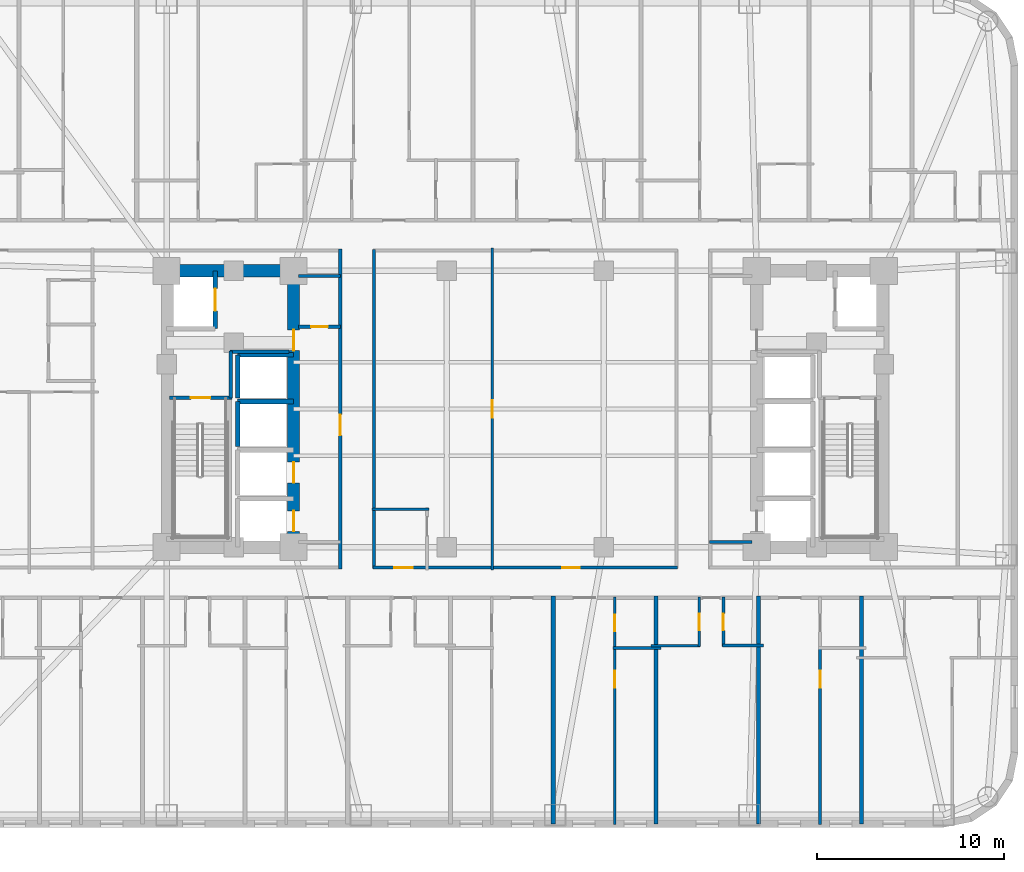
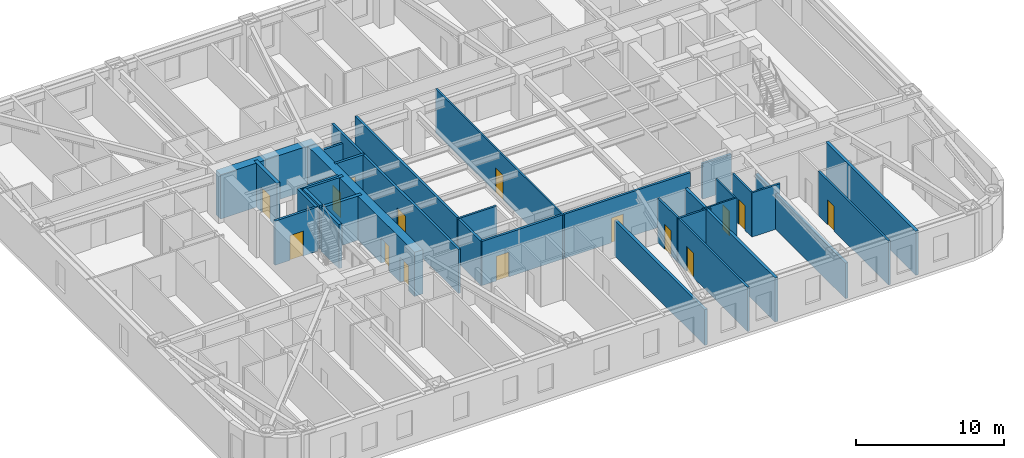
# One storey, part 5 of 11: 30 walls, 15 doors, 15 openings.
"""IFC4 building model written with IfcOpenShell, lengths in metres."""

from ifc_helpers import new_model, si_unit, direction, frame, frame_2d, origin, place, context, subcontext, project, spatial, rectangle, extrude, material, layer, layer_set, type_object, element, fill, save


model = new_model("IFC4")

# Units and contexts
model_context = context("Model", 3, precision=1e-05, world=origin(), true_north=direction((0.0, 1.0)))
body_context = subcontext(model_context, "Body", "Model", "MODEL_VIEW")
ifc_project = project(units=[si_unit("LENGTHUNIT", "METRE"), si_unit("AREAUNIT", "SQUARE_METRE"), si_unit("VOLUMEUNIT", "CUBIC_METRE"), si_unit("PLANEANGLEUNIT", "RADIAN"), si_unit("MASSUNIT", "GRAM", prefix="KILO")], contexts=[model_context])

# Site, building, storey
site_placement = place(None, origin())
site = spatial("IfcSite", under=ifc_project, at=site_placement, CompositionType="ELEMENT")
building_placement = place(site_placement, origin())
building = spatial("IfcBuilding", under=site, at=building_placement, Name="Voryun Gate Residences", CompositionType="ELEMENT")
storey_placement = place(building_placement, frame((0.0, 0.0, 33.800048828125)))
storey = spatial("IfcBuildingStorey", under=building, at=storey_placement, Name="L07", CompositionType="ELEMENT", Elevation=33.800048828125)

# Wall
ifc_material_1 = material(Name="Concrete C60/75", Category="concrete")
ifc_layer_1 = layer(ifc_material_1, 0.64990234375, Name="CW_CORE_650")
ifc_layer_set_1 = layer_set([ifc_layer_1], Name="Concrete C60/75")
wall_type_1 = type_object("IfcWallType", Name="CW_CORE_650", PredefinedType="SHEAR", material=ifc_layer_set_1)
wall_1_placement = place(storey_placement, frame((-19.52490234375, 7.39990234375, 0.0), z_axis=(0.0, 0.0, 1.0), x_axis=(1.0, 0.0, 0.0)))
element("IfcWall", 1, at=wall_1_placement, inside=storey, type_object=wall_type_1, Name="L07 Core shear wall CW-L07-WN", PredefinedType="SHEAR", context=body_context, shape_type="SweptSolid", body=[
    extrude(rectangle(XDim=7.449951171875, YDim=0.64990234375, at=frame_2d((3.72509765625, 0.0))), origin(), (0.0, 0.0, 1.0), 3.64990234375),
])

# Wall, openings, doors
wall_2_placement = place(storey_placement, frame((-12.39990234375, -7.39990234375, 0.0), z_axis=(0.0, 0.0, 1.0), x_axis=(0.0, 1.0, 0.0)))
wall_2 = element("IfcWall", 2, at=wall_2_placement, inside=storey, type_object=wall_type_1, Name="L07 Core shear wall CW-L07-WE", PredefinedType="SHEAR", context=body_context, shape_type="SweptSolid", body=[
    extrude(rectangle(XDim=14.7998046875, YDim=0.64990234375, at=frame_2d((7.39990234375, 0.0))), origin(), (0.0, 0.0, 1.0), 3.64990234375),
])
opening_1_placement = place(wall_2_placement, frame((0.85009765625, 0.0, 0.0)))
opening_1 = element("IfcOpeningElement", 3, at=opening_1_placement, cuts=wall_2, Name="Opening LD2", PredefinedType="OPENING", context=body_context, shape_type="SweptSolid", body=[
    extrude(rectangle(XDim=1.10009765625, YDim=2.050048828125, at=frame_2d((0.550048828125, 1.02490234375))), frame((0.0, 0.3349609375, 0.0), z_axis=(0.0, -1.0, 0.0), x_axis=(1.0, 0.0, 0.0)), (0.0, 0.0, 1.0), 0.669921875),
])
opening_2_placement = place(wall_2_placement, frame((3.449951171875, 0.0, 0.0)))
opening_2 = element("IfcOpeningElement", 4, at=opening_2_placement, cuts=wall_2, Name="Opening LD2", PredefinedType="OPENING", context=body_context, shape_type="SweptSolid", body=[
    extrude(rectangle(XDim=1.10009765625, YDim=2.050048828125, at=frame_2d((0.550048828125, 1.02490234375))), frame((0.0, 0.3349609375, 0.0), z_axis=(0.0, -1.0, 0.0), x_axis=(1.0, 0.0, 0.0)), (0.0, 0.0, 1.0), 0.669921875),
])
opening_3_placement = place(wall_2_placement, frame((10.530029296875, 0.0, 0.0)))
opening_3 = element("IfcOpeningElement", 5, at=opening_3_placement, cuts=wall_2, Name="Opening D-FD60-2", PredefinedType="OPENING", context=body_context, shape_type="SweptSolid", body=[
    extrude(rectangle(XDim=1.10009765625, YDim=2.050048828125, at=frame_2d((0.550048828125, 1.02490234375))), frame((0.0, 0.3349609375, 0.0), z_axis=(0.0, -1.0, 0.0), x_axis=(1.0, 0.0, 0.0)), (0.0, 0.0, 1.0), 0.669921875),
])
ifc_material_2 = material(Name="Painted steel fire door", Category="steel")
door_type_1 = type_object("IfcDoorType", Name="DR_FD60_FFLOB_1100", OperationType="NOTDEFINED", PredefinedType="DOOR", material=ifc_material_2)
door_1_placement = place(opening_3_placement, origin())
door_1 = element("IfcDoor", 6, at=door_1_placement, inside=storey, type_object=door_type_1, Name="Door DR-L07-CLOB-W", OperationType="SINGLE_SWING_LEFT", OverallHeight=2.050048828125, OverallWidth=1.10009765625, PredefinedType="DOOR", context=body_context, shape_type="SweptSolid", body=[
    extrude(rectangle(XDim=1.10009765625, YDim=2.050048828125, at=frame_2d((0.550048828125, 1.02490234375))), frame((0.0, 0.02490234375, 0.0), z_axis=(0.0, -1.0, 0.0), x_axis=(1.0, 0.0, 0.0)), (0.0, 0.0, 1.0), 0.050048828125),
])
fill(opening_3, door_1)
ifc_material_3 = material(Name="Anodised aluminium", Category="aluminium")
door_type_2 = type_object("IfcDoorType", Name="DR_LD_PASS_1100", OperationType="NOTDEFINED", PredefinedType="DOOR", material=ifc_material_3)
door_2_placement = place(opening_1_placement, origin())
door_2 = element("IfcDoor", 7, at=door_2_placement, inside=storey, type_object=door_type_2, Name="Lift EL-P1 sliding landing door L07", OperationType="SLIDING_TO_LEFT", OverallHeight=2.050048828125, OverallWidth=1.10009765625, PredefinedType="DOOR", context=body_context, shape_type="SweptSolid", body=[
    extrude(rectangle(XDim=1.10009765625, YDim=2.050048828125, at=frame_2d((0.550048828125, 1.02490234375))), frame((0.0, 0.02490234375, 0.0), z_axis=(0.0, -1.0, 0.0), x_axis=(1.0, 0.0, 0.0)), (0.0, 0.0, 1.0), 0.050048828125),
])
fill(opening_1, door_2)
door_3_placement = place(opening_2_placement, origin())
door_3 = element("IfcDoor", 8, at=door_3_placement, inside=storey, type_object=door_type_2, Name="Lift EL-P2 sliding landing door L07", OperationType="SLIDING_TO_LEFT", OverallHeight=2.050048828125, OverallWidth=1.10009765625, PredefinedType="DOOR", context=body_context, shape_type="SweptSolid", body=[
    extrude(rectangle(XDim=1.10009765625, YDim=2.050048828125, at=frame_2d((0.550048828125, 1.02490234375))), frame((0.0, 0.02490234375, 0.0), z_axis=(0.0, -1.0, 0.0), x_axis=(1.0, 0.0, 0.0)), (0.0, 0.0, 1.0), 0.050048828125),
])
fill(opening_2, door_3)

# Wall, opening, door
ifc_material_4 = material(Name="Gypsum acoustic fireboard")
ifc_layer_2 = layer(ifc_material_4, 0.179931640625, Name="W_CORR_RATED_180")
ifc_layer_set_2 = layer_set([ifc_layer_2], Name="Gypsum acoustic fireboard")
wall_type_2 = type_object("IfcWallType", Name="W_CORR_RATED_180", PredefinedType="PARTITIONING", material=ifc_layer_set_2)
wall_3_placement = place(storey_placement, frame((-19.06005859375, 0.60009765625, 0.0), z_axis=(0.0, 0.0, 1.0), x_axis=(1.0, 0.0, 0.0)))
wall_3 = element("IfcWall", 9, at=wall_3_placement, inside=storey, type_object=wall_type_2, Name="Partition wall WP-L07-STV-W", PredefinedType="PARTITIONING", context=body_context, shape_type="SweptSolid", body=[
    extrude(rectangle(XDim=3.360107421875, YDim=0.179931640625, at=frame_2d((1.68017578125, 0.0))), origin(), (0.0, 0.0, 1.0), 3.64990234375),
])
opening_4_placement = place(wall_3_placement, frame((1.155029296875, 0.0, 0.0)))
opening_4 = element("IfcOpeningElement", 10, at=opening_4_placement, cuts=wall_3, Name="Opening D-FD60-1", PredefinedType="OPENING", context=body_context, shape_type="SweptSolid", body=[
    extrude(rectangle(XDim=1.050048828125, YDim=2.050048828125, at=frame_2d((0.52490234375, 1.02490234375))), frame((0.0, 0.099853515625, 0.0), z_axis=(0.0, -1.0, 0.0), x_axis=(1.0, 0.0, 0.0)), (0.0, 0.0, 1.0), 0.199951171875),
])
ifc_material_5 = material(Name="Painted steel fire door", Category="steel")
door_type_3 = type_object("IfcDoorType", Name="DR_FD60_STAIR_1050", OperationType="NOTDEFINED", PredefinedType="DOOR", material=ifc_material_5)
door_4_placement = place(opening_4_placement, origin())
door_4 = element("IfcDoor", 11, at=door_4_placement, inside=storey, type_object=door_type_3, Name="Door DR-L07-ST-W", OperationType="SINGLE_SWING_LEFT", OverallHeight=2.050048828125, OverallWidth=1.050048828125, PredefinedType="DOOR", context=body_context, shape_type="SweptSolid", body=[
    extrude(rectangle(XDim=1.050048828125, YDim=2.050048828125, at=frame_2d((0.52490234375, 1.02490234375))), frame((0.0, 0.02490234375, 0.0), z_axis=(0.0, -1.0, 0.0), x_axis=(1.0, 0.0, 0.0)), (0.0, 0.0, 1.0), 0.050048828125),
])
fill(opening_4, door_4)

# Walls
for number, where, z_axis, x_axis, name in (
    (12, (-12.14990234375, 7.1201171875, 0.0), (0.0, 0.0, 1.0), (1.0, 0.0, 0.0), "Partition wall WP-L07-PLBN-W"),
    (13, (9.8798828125, -7.1201171875, 0.0), (0.0, 0.0, 1.0), (1.0, 0.0, 0.0), "Partition wall WP-L07-PLBS-E"),
):
    element("IfcWall", number, at=place(storey_placement, frame(where, z_axis=z_axis, x_axis=x_axis)), inside=storey, type_object=wall_type_2, Name=name, PredefinedType="PARTITIONING", context=body_context, shape_type="SweptSolid", body=[
        extrude(rectangle(XDim=2.27001953125, YDim=0.179931640625, at=frame_2d((1.135009765625, 0.0))), origin(), (0.0, 0.0, 1.0), 2.93994140625),
    ])

# Wall, opening, door
wall_4_placement = place(storey_placement, frame((-9.89990234375, -8.580078125, 0.0), z_axis=(0.0, 0.0, 1.0), x_axis=(0.0, 1.0, 0.0)))
wall_4 = element("IfcWall", 14, at=wall_4_placement, inside=storey, type_object=wall_type_2, Name="Partition wall WP-L07-PLBW-FULL", PredefinedType="PARTITIONING", context=body_context, shape_type="SweptSolid", body=[
    extrude(rectangle(XDim=17.16015625, YDim=0.179931640625, at=frame_2d((8.580078125, 0.0))), origin(), (0.0, 0.0, 1.0), 3.64990234375),
])
opening_5_placement = place(wall_4_placement, frame((7.172119140625, 0.0, 0.0)))
opening_5 = element("IfcOpeningElement", 15, at=opening_5_placement, cuts=wall_4, Name="Opening D-FD60-2", PredefinedType="OPENING", context=body_context, shape_type="SweptSolid", body=[
    extrude(rectangle(XDim=1.10009765625, YDim=2.050048828125, at=frame_2d((0.550048828125, 1.02490234375))), frame((0.0, 0.099853515625, 0.0), z_axis=(0.0, -1.0, 0.0), x_axis=(1.0, 0.0, 0.0)), (0.0, 0.0, 1.0), 0.199951171875),
])
door_5_placement = place(opening_5_placement, origin())
door_5 = element("IfcDoor", 16, at=door_5_placement, inside=storey, type_object=door_type_1, Name="Door DR-L07-PLBW-COR", OperationType="SINGLE_SWING_LEFT", OverallHeight=2.050048828125, OverallWidth=1.10009765625, PredefinedType="DOOR", context=body_context, shape_type="SweptSolid", body=[
    extrude(rectangle(XDim=1.10009765625, YDim=2.050048828125, at=frame_2d((0.550048828125, 1.02490234375))), frame((0.0, 0.02490234375, 0.0), z_axis=(0.0, -1.0, 0.0), x_axis=(1.0, 0.0, 0.0)), (0.0, 0.0, 1.0), 0.050048828125),
])
fill(opening_5, door_5)

# Wall, openings, doors
wall_5_placement = place(storey_placement, frame((-8.14990234375, -8.489990234375, 0.0), z_axis=(0.0, 0.0, 1.0), x_axis=(1.0, 0.0, 0.0)))
wall_5 = element("IfcWall", 17, at=wall_5_placement, inside=storey, type_object=wall_type_2, Name="Partition wall WP-L07-Z1S", PredefinedType="PARTITIONING", context=body_context, shape_type="SweptSolid", body=[
    extrude(rectangle(XDim=16.2998046875, YDim=0.179931640625, at=frame_2d((8.14990234375, 0.0))), origin(), (0.0, 0.0, 1.0), 3.64990234375),
])
opening_6_placement = place(wall_5_placement, frame((1.1298828125, 0.0, 0.0)))
opening_6 = element("IfcOpeningElement", 18, at=opening_6_placement, cuts=wall_5, Name="Opening D-AWC-1", PredefinedType="OPENING", context=body_context, shape_type="SweptSolid", body=[
    extrude(rectangle(XDim=1.0, YDim=2.050048828125, at=frame_2d((0.5, 1.02490234375))), frame((0.0, 0.099853515625, 0.0), z_axis=(0.0, -1.0, 0.0), x_axis=(1.0, 0.0, 0.0)), (0.0, 0.0, 1.0), 0.199951171875),
])
opening_7_placement = place(wall_5_placement, frame((10.1201171875, 0.0, 0.0)))
opening_7 = element("IfcOpeningElement", 19, at=opening_7_placement, cuts=wall_5, Name="Opening D-INT-1", PredefinedType="OPENING", context=body_context, shape_type="SweptSolid", body=[
    extrude(rectangle(XDim=0.949951171875, YDim=2.050048828125, at=frame_2d((0.47509765625, 1.02490234375))), frame((0.0, 0.099853515625, 0.0), z_axis=(0.0, -1.0, 0.0), x_axis=(1.0, 0.0, 0.0)), (0.0, 0.0, 1.0), 0.199951171875),
])
ifc_material_6 = material(Name="Architectural oak veneer")
door_type_4 = type_object("IfcDoorType", Name="DR_ACC_WC_1000", OperationType="NOTDEFINED", PredefinedType="DOOR", material=ifc_material_6)
door_6_placement = place(opening_6_placement, origin())
door_6 = element("IfcDoor", 20, at=door_6_placement, inside=storey, type_object=door_type_4, Name="Door DR-L07-CMWC-D", OperationType="SINGLE_SWING_LEFT", OverallHeight=2.050048828125, OverallWidth=1.0, PredefinedType="DOOR", context=body_context, shape_type="SweptSolid", body=[
    extrude(rectangle(XDim=1.0, YDim=2.050048828125, at=frame_2d((0.5, 1.02490234375))), frame((0.0, 0.02490234375, 0.0), z_axis=(0.0, -1.0, 0.0), x_axis=(1.0, 0.0, 0.0)), (0.0, 0.0, 1.0), 0.050048828125),
])
fill(opening_6, door_6)
ifc_material_7 = material(Name="Architectural oak veneer")
door_type_5 = type_object("IfcDoorType", Name="DR_INT_ROOM_950", OperationType="NOTDEFINED", PredefinedType="DOOR", material=ifc_material_7)
door_7_placement = place(opening_7_placement, origin())
door_7 = element("IfcDoor", 21, at=door_7_placement, inside=storey, type_object=door_type_5, Name="Door DR-L07-CMIDZ1S", OperationType="SINGLE_SWING_RIGHT", OverallHeight=2.050048828125, OverallWidth=0.949951171875, PredefinedType="DOOR", context=body_context, shape_type="SweptSolid", body=[
    extrude(rectangle(XDim=0.949951171875, YDim=2.050048828125, at=frame_2d((0.47509765625, 1.02490234375))), frame((0.0, 0.02490234375, 0.0), z_axis=(0.0, -1.0, 0.0), x_axis=(1.0, 0.0, 0.0)), (0.0, 0.0, 1.0), 0.050048828125),
])
fill(opening_7, door_7)

# Walls
wall_6_placement = place(storey_placement, frame((-8.10009765625, -8.530029296875, 0.0), z_axis=(0.0, 0.0, 1.0), x_axis=(0.0, 1.0, 0.0)))
element("IfcWall", 22, at=wall_6_placement, inside=storey, type_object=wall_type_2, Name="Partition wall WP-L07-Z1W", PredefinedType="PARTITIONING", context=body_context, shape_type="SweptSolid", body=[
    extrude(rectangle(XDim=17.06005859375, YDim=0.179931640625, at=frame_2d((8.530029296875, 0.0))), origin(), (0.0, 0.0, 1.0), 3.64990234375),
])
ifc_material_8 = material(Name="Concrete C40/50", Category="concrete")
ifc_layer_3 = layer(ifc_material_8, 0.199951171875, Name="W_FF_LOBBY_200")
ifc_layer_set_3 = layer_set([ifc_layer_3], Name="Concrete C40/50")
wall_type_3 = type_object("IfcWallType", Name="W_FF_LOBBY_200", PredefinedType="PARTITIONING", material=ifc_layer_set_3)
wall_7_placement = place(storey_placement, frame((-15.760009765625, 0.580078125, 0.0), z_axis=(0.0, 0.0, 1.0), x_axis=(0.0, 1.0, 0.0)))
element("IfcWall", 23, at=wall_7_placement, inside=storey, type_object=wall_type_3, Name="Partition wall WP-L07-FFP0-W", PredefinedType="PARTITIONING", context=body_context, shape_type="SweptSolid", body=[
    extrude(rectangle(XDim=2.52001953125, YDim=0.199951171875, at=frame_2d((1.260009765625, 0.0))), origin(), (0.0, 0.0, 1.0), 3.64990234375),
])
wall_8_placement = place(storey_placement, frame((-15.820068359375, 3.06005859375, 0.0), z_axis=(0.0, 0.0, 1.0), x_axis=(1.0, 0.0, 0.0)))
element("IfcWall", 24, at=wall_8_placement, inside=storey, type_object=wall_type_3, Name="Partition wall WP-L07-FFPS-W", PredefinedType="PARTITIONING", context=body_context, shape_type="SweptSolid", body=[
    extrude(rectangle(XDim=3.16015625, YDim=0.199951171875, at=frame_2d((1.580078125, 0.0))), origin(), (0.0, 0.0, 1.0), 3.64990234375),
])

# Wall, opening, door
wall_9_placement = place(storey_placement, frame((-12.14990234375, 4.409912109375, 0.0), z_axis=(0.0, 0.0, 1.0), x_axis=(1.0, 0.0, 0.0)))
wall_9 = element("IfcWall", 25, at=wall_9_placement, inside=storey, type_object=wall_type_3, Name="Partition wall WP-L07-CSFLKS-W", PredefinedType="PARTITIONING", context=body_context, shape_type="SweptSolid", body=[
    extrude(rectangle(XDim=2.27001953125, YDim=0.199951171875, at=frame_2d((1.135009765625, 0.0))), origin(), (0.0, 0.0, 1.0), 3.64990234375),
])
opening_8_placement = place(wall_9_placement, frame((0.68505859375, 0.0, 0.0)))
opening_8 = element("IfcOpeningElement", 26, at=opening_8_placement, cuts=wall_9, Name="Opening D-FD60-4", PredefinedType="OPENING", context=body_context, shape_type="SweptSolid", body=[
    extrude(rectangle(XDim=0.89990234375, YDim=2.050048828125, at=frame_2d((0.449951171875, 1.02490234375))), frame((0.0, 0.110107421875, 0.0), z_axis=(0.0, -1.0, 0.0), x_axis=(1.0, 0.0, 0.0)), (0.0, 0.0, 1.0), 0.219970703125),
])
ifc_material_9 = material(Name="Painted steel fire door", Category="steel")
door_type_6 = type_object("IfcDoorType", Name="DR_FD60_RISER_900", OperationType="NOTDEFINED", PredefinedType="DOOR", material=ifc_material_9)
door_8_placement = place(opening_8_placement, origin())
door_8 = element("IfcDoor", 27, at=door_8_placement, inside=storey, type_object=door_type_6, Name="Door DR-L07-CSFLK-W", OperationType="SINGLE_SWING_LEFT", OverallHeight=2.050048828125, OverallWidth=0.89990234375, PredefinedType="DOOR", context=body_context, shape_type="SweptSolid", body=[
    extrude(rectangle(XDim=0.89990234375, YDim=2.050048828125, at=frame_2d((0.449951171875, 1.02490234375))), frame((0.0, 0.02490234375, 0.0), z_axis=(0.0, -1.0, 0.0), x_axis=(1.0, 0.0, 0.0)), (0.0, 0.0, 1.0), 0.050048828125),
])
fill(opening_8, door_8)

# Walls
ifc_material_10 = material(Name="Concrete C40/50", Category="concrete")
ifc_layer_4 = layer(ifc_material_10, 0.219970703125, Name="W_PARTY_ACOUSTIC_220")
ifc_layer_set_4 = layer_set([ifc_layer_4], Name="Concrete C40/50")
wall_type_4 = type_object("IfcWallType", Name="W_PARTY_ACOUSTIC_220", PredefinedType="PARTITIONING", material=ifc_layer_set_4)
wall_10_placement = place(storey_placement, frame((1.5, -22.2099609375, 0.0), z_axis=(0.0, 0.0, 1.0), x_axis=(0.0, 1.0, 0.0)))
element("IfcWall", 28, at=wall_10_placement, inside=storey, type_object=wall_type_4, Name="Partition wall WP-L07-SPTY-6", PredefinedType="PARTITIONING", context=body_context, shape_type="SweptSolid", body=[
    extrude(rectangle(XDim=12.18994140625, YDim=0.219970703125, at=frame_2d((6.094970703125, 0.0))), origin(), (0.0, 0.0, 1.0), 2.93994140625),
])
wall_11_placement = place(storey_placement, frame((7.0, -22.2099609375, 0.0), z_axis=(0.0, 0.0, 1.0), x_axis=(0.0, 1.0, 0.0)))
element("IfcWall", 29, at=wall_11_placement, inside=storey, type_object=wall_type_4, Name="Partition wall WP-L07-SPTY-7", PredefinedType="PARTITIONING", context=body_context, shape_type="SweptSolid", body=[
    extrude(rectangle(XDim=12.18994140625, YDim=0.219970703125, at=frame_2d((6.094970703125, 0.0))), origin(), (0.0, 0.0, 1.0), 3.64990234375),
])
wall_12_placement = place(storey_placement, frame((12.5, -22.2099609375, 0.0), z_axis=(0.0, 0.0, 1.0), x_axis=(0.0, 1.0, 0.0)))
element("IfcWall", 30, at=wall_12_placement, inside=storey, type_object=wall_type_4, Name="Partition wall WP-L07-SPTY-8", PredefinedType="PARTITIONING", context=body_context, shape_type="SweptSolid", body=[
    extrude(rectangle(XDim=12.18994140625, YDim=0.219970703125, at=frame_2d((6.094970703125, 0.0))), origin(), (0.0, 0.0, 1.0), 2.93994140625),
])
wall_13_placement = place(storey_placement, frame((18.0, -22.2099609375, 0.0), z_axis=(0.0, 0.0, 1.0), x_axis=(0.0, 1.0, 0.0)))
element("IfcWall", 31, at=wall_13_placement, inside=storey, type_object=wall_type_4, Name="Partition wall WP-L07-SPTY-9", PredefinedType="PARTITIONING", context=body_context, shape_type="SweptSolid", body=[
    extrude(rectangle(XDim=12.18994140625, YDim=0.219970703125, at=frame_2d((6.094970703125, 0.0))), origin(), (0.0, 0.0, 1.0), 3.64990234375),
])

# Wall, opening, door
ifc_material_11 = material(Name="Concrete C50/60", Category="concrete")
ifc_layer_5 = layer(ifc_material_11, 0.25, Name="W_SHAFT_RC250")
ifc_layer_set_5 = layer_set([ifc_layer_5], Name="Concrete C50/60")
wall_type_5 = type_object("IfcWallType", Name="W_SHAFT_RC250", PredefinedType="SOLIDWALL", material=ifc_layer_set_5)
wall_14_placement = place(storey_placement, frame((-16.60009765625, 4.300048828125, 0.0), z_axis=(0.0, 0.0, 1.0), x_axis=(0.0, 1.0, 0.0)))
wall_14 = element("IfcWall", 32, at=wall_14_placement, inside=storey, type_object=wall_type_5, Name="Lift shaft wall WSH-L07-EL-FF-W1-E", PredefinedType="SOLIDWALL", context=body_context, shape_type="SweptSolid", body=[
    extrude(rectangle(XDim=3.099853515625, YDim=0.25, at=frame_2d((1.5498046875, 0.0))), origin(), (0.0, 0.0, 1.0), 3.64990234375),
])
opening_9_placement = place(wall_14_placement, frame((0.949951171875, 0.0, 0.0)))
opening_9 = element("IfcOpeningElement", 33, at=opening_9_placement, cuts=wall_14, Name="Opening LD1", PredefinedType="OPENING", context=body_context, shape_type="SweptSolid", body=[
    extrude(rectangle(XDim=1.199951171875, YDim=2.050048828125, at=frame_2d((0.60009765625, 1.02490234375))), frame((0.0, 0.135009765625, 0.0), z_axis=(0.0, -1.0, 0.0), x_axis=(1.0, 0.0, 0.0)), (0.0, 0.0, 1.0), 0.27001953125),
])
ifc_material_12 = material(Name="Anodised aluminium", Category="aluminium")
door_type_7 = type_object("IfcDoorType", Name="DR_LD_FF_1200", OperationType="NOTDEFINED", PredefinedType="DOOR", material=ifc_material_12)
door_9_placement = place(opening_9_placement, origin())
door_9 = element("IfcDoor", 34, at=door_9_placement, inside=storey, type_object=door_type_7, Name="Lift EL-FF-W1 sliding landing door L07", OperationType="SLIDING_TO_LEFT", OverallHeight=2.050048828125, OverallWidth=1.199951171875, PredefinedType="DOOR", context=body_context, shape_type="SweptSolid", body=[
    extrude(rectangle(XDim=1.199951171875, YDim=2.050048828125, at=frame_2d((0.60009765625, 1.02490234375))), frame((0.0, 0.02490234375, 0.0), z_axis=(0.0, -1.0, 0.0), x_axis=(1.0, 0.0, 0.0)), (0.0, 0.0, 1.0), 0.050048828125),
])
fill(opening_9, door_9)

# Walls
wall_15_placement = place(storey_placement, frame((-12.39990234375, 0.39990234375, 0.0), z_axis=(0.0, 0.0, 1.0), x_axis=(-1.0, 0.0, 0.0)))
element("IfcWall", 35, at=wall_15_placement, inside=storey, type_object=wall_type_5, Name="Lift shaft wall WSH-L07-EL-P4-N", PredefinedType="SOLIDWALL", context=body_context, shape_type="SweptSolid", body=[
    extrude(rectangle(XDim=3.0, YDim=0.25, at=frame_2d((1.5, 0.0))), origin(), (0.0, 0.0, 1.0), 3.64990234375),
])
wall_16_placement = place(storey_placement, frame((-15.39990234375, 0.39990234375, 0.0), z_axis=(0.0, 0.0, 1.0), x_axis=(0.0, -1.0, 0.0)))
element("IfcWall", 36, at=wall_16_placement, inside=storey, type_object=wall_type_5, Name="Lift shaft wall WSH-L07-EL-P4-W", PredefinedType="SOLIDWALL", context=body_context, shape_type="SweptSolid", body=[
    extrude(rectangle(XDim=2.39990234375, YDim=0.25, at=frame_2d((1.199951171875, 0.0))), origin(), (0.0, 0.0, 1.0), 3.64990234375),
])
wall_17_placement = place(storey_placement, frame((-12.39990234375, 2.89990234375, 0.0), z_axis=(0.0, 0.0, 1.0), x_axis=(-1.0, 0.0, 0.0)))
element("IfcWall", 37, at=wall_17_placement, inside=storey, type_object=wall_type_5, Name="Lift shaft wall WSH-L07-EL-P7-N", PredefinedType="SOLIDWALL", context=body_context, shape_type="SweptSolid", body=[
    extrude(rectangle(XDim=3.0, YDim=0.25, at=frame_2d((1.5, 0.0))), origin(), (0.0, 0.0, 1.0), 3.64990234375),
])
wall_18_placement = place(storey_placement, frame((-15.39990234375, 2.89990234375, 0.0), z_axis=(0.0, 0.0, 1.0), x_axis=(0.0, -1.0, 0.0)))
element("IfcWall", 38, at=wall_18_placement, inside=storey, type_object=wall_type_5, Name="Lift shaft wall WSH-L07-EL-P7-W", PredefinedType="SOLIDWALL", context=body_context, shape_type="SweptSolid", body=[
    extrude(rectangle(XDim=2.2998046875, YDim=0.25, at=frame_2d((1.14990234375, 0.0))), origin(), (0.0, 0.0, 1.0), 3.64990234375),
])

# Wall, opening, door
ifc_material_13 = material(Name="Gypsum acoustic partition")
ifc_layer_6 = layer(ifc_material_13, 0.125, Name="W_UNIT_PART_125")
ifc_layer_set_6 = layer_set([ifc_layer_6], Name="Gypsum acoustic partition")
wall_type_6 = type_object("IfcWallType", Name="W_UNIT_PART_125", PredefinedType="PARTITIONING", material=ifc_layer_set_6)
wall_19_placement = place(storey_placement, frame((-1.77294921875, -8.6201171875, 0.0), z_axis=(0.0, 0.0, 1.0), x_axis=(0.0, 1.0, 0.0)))
wall_19 = element("IfcWall", 39, at=wall_19_placement, inside=storey, type_object=wall_type_6, Name="Partition wall WP-L07-MIDX-0", PredefinedType="PARTITIONING", context=body_context, shape_type="SweptSolid", body=[
    extrude(rectangle(XDim=17.240234375, YDim=0.125, at=frame_2d((8.6201171875, 0.0))), origin(), (0.0, 0.0, 1.0), 3.64990234375),
])
opening_10_placement = place(wall_19_placement, frame((8.14501953125, 0.0, 0.0)))
opening_10 = element("IfcOpeningElement", 40, at=opening_10_placement, cuts=wall_19, Name="Opening D-INT-1", PredefinedType="OPENING", context=body_context, shape_type="SweptSolid", body=[
    extrude(rectangle(XDim=0.949951171875, YDim=2.050048828125, at=frame_2d((0.47509765625, 1.02490234375))), frame((0.0, 0.072509765625, 0.0), z_axis=(0.0, -1.0, 0.0), x_axis=(1.0, 0.0, 0.0)), (0.0, 0.0, 1.0), 0.14501953125),
])
door_10_placement = place(opening_10_placement, origin())
door_10 = element("IfcDoor", 41, at=door_10_placement, inside=storey, type_object=door_type_5, Name="Door DR-L07-MIDX-0", OperationType="SINGLE_SWING_LEFT", OverallHeight=2.050048828125, OverallWidth=0.949951171875, PredefinedType="DOOR", context=body_context, shape_type="SweptSolid", body=[
    extrude(rectangle(XDim=0.949951171875, YDim=2.050048828125, at=frame_2d((0.47509765625, 1.02490234375))), frame((0.0, 0.02490234375, 0.0), z_axis=(0.0, -1.0, 0.0), x_axis=(1.0, 0.0, 0.0)), (0.0, 0.0, 1.0), 0.050048828125),
])
fill(opening_10, door_10)

wall_20_placement = place(storey_placement, frame((9.31005859375, -12.72998046875, 0.0), z_axis=(0.0, 0.0, 1.0), x_axis=(0.0, 1.0, 0.0)))
wall_20 = element("IfcWall", 42, at=wall_20_placement, inside=storey, type_object=wall_type_6, Name="Partition wall WP-L07-S8-CVK", PredefinedType="PARTITIONING", context=body_context, shape_type="SweptSolid", body=[
    extrude(rectangle(XDim=2.64990234375, YDim=0.125, at=frame_2d((1.324951171875, 0.0))), origin(), (0.0, 0.0, 1.0), 3.64990234375),
])
opening_11_placement = place(wall_20_placement, frame((0.875, 0.0, 0.0)))
opening_11 = element("IfcOpeningElement", 43, at=opening_11_placement, cuts=wall_20, Name="Opening D-INT-2", PredefinedType="OPENING", context=body_context, shape_type="SweptSolid", body=[
    extrude(rectangle(XDim=0.89990234375, YDim=2.050048828125, at=frame_2d((0.449951171875, 1.02490234375))), frame((0.0, 0.072509765625, 0.0), z_axis=(0.0, -1.0, 0.0), x_axis=(1.0, 0.0, 0.0)), (0.0, 0.0, 1.0), 0.14501953125),
])
ifc_material_14 = material(Name="Architectural oak veneer")
door_type_8 = type_object("IfcDoorType", Name="DR_INT_BATH_900", OperationType="NOTDEFINED", PredefinedType="DOOR", material=ifc_material_14)
door_11_placement = place(opening_11_placement, origin())
door_11 = element("IfcDoor", 44, at=door_11_placement, inside=storey, type_object=door_type_8, Name="Door DR-L07-S8-DK", OperationType="SINGLE_SWING_LEFT", OverallHeight=2.050048828125, OverallWidth=0.89990234375, PredefinedType="DOOR", context=body_context, shape_type="SweptSolid", body=[
    extrude(rectangle(XDim=0.89990234375, YDim=2.050048828125, at=frame_2d((0.449951171875, 1.02490234375))), frame((0.0, 0.02490234375, 0.0), z_axis=(0.0, -1.0, 0.0), x_axis=(1.0, 0.0, 0.0)), (0.0, 0.0, 1.0), 0.050048828125),
])
fill(opening_11, door_11)

# Walls
wall_21_placement = place(storey_placement, frame((6.739990234375, -12.669921875, 0.0), z_axis=(0.0, 0.0, 1.0), x_axis=(1.0, 0.0, 0.0)))
element("IfcWall", 45, at=wall_21_placement, inside=storey, type_object=wall_type_6, Name="Partition wall WP-L07-S8-CHK", PredefinedType="PARTITIONING", context=body_context, shape_type="SweptSolid", body=[
    extrude(rectangle(XDim=2.630126953125, YDim=0.125, at=frame_2d((1.31494140625, 0.0))), origin(), (0.0, 0.0, 1.0), 3.64990234375),
])
ifc_material_15 = material(Name="Gypsum moisture-resistant partition")
ifc_layer_7 = layer(ifc_material_15, 0.14990234375, Name="W_WET_PLUMB_150")
ifc_layer_set_7 = layer_set([ifc_layer_7], Name="Gypsum moisture-resistant partition")
wall_type_7 = type_object("IfcWallType", Name="W_WET_PLUMB_150", PredefinedType="PLUMBINGWALL", material=ifc_layer_set_7)
wall_22_placement = place(storey_placement, frame((-8.2099609375, -5.3701171875, 0.0), z_axis=(0.0, 0.0, 1.0), x_axis=(1.0, 0.0, 0.0)))
element("IfcWall", 46, at=wall_22_placement, inside=storey, type_object=wall_type_7, Name="Partition wall WP-L07-CMWCY", PredefinedType="PLUMBINGWALL", context=body_context, shape_type="SweptSolid", body=[
    extrude(rectangle(XDim=3.050048828125, YDim=0.14990234375, at=frame_2d((1.52490234375, 0.0))), origin(), (0.0, 0.0, 1.0), 3.64990234375),
])
wall_23_placement = place(storey_placement, frame((4.7099609375, -12.800048828125, 0.0), z_axis=(0.0, 0.0, 1.0), x_axis=(1.0, 0.0, 0.0)))
element("IfcWall", 47, at=wall_23_placement, inside=storey, type_object=wall_type_7, Name="Partition wall WP-L07-S7-SKB", PredefinedType="PLUMBINGWALL", context=body_context, shape_type="SweptSolid", body=[
    extrude(rectangle(XDim=2.550048828125, YDim=0.14990234375, at=frame_2d((1.27490234375, 0.0))), origin(), (0.0, 0.0, 1.0), 3.64990234375),
])

# Wall, opening, door
wall_24_placement = place(storey_placement, frame((4.7900390625, -22.257568359375, 0.0), z_axis=(0.0, 0.0, 1.0), x_axis=(0.0, 1.0, 0.0)))
wall_24 = element("IfcWall", 48, at=wall_24_placement, inside=storey, type_object=wall_type_7, Name="Partition wall WP-L07-S7-SVT1", PredefinedType="PLUMBINGWALL", context=body_context, shape_type="SweptSolid", body=[
    extrude(rectangle(XDim=9.49755859375, YDim=0.14990234375, at=frame_2d((4.748779296875, 0.0))), origin(), (0.0, 0.0, 1.0), 3.64990234375),
])
opening_12_placement = place(wall_24_placement, frame((7.337890625, 0.0, 0.0)))
opening_12 = element("IfcOpeningElement", 49, at=opening_12_placement, cuts=wall_24, Name="Opening D-INT-2", PredefinedType="OPENING", context=body_context, shape_type="SweptSolid", body=[
    extrude(rectangle(XDim=0.89990234375, YDim=2.050048828125, at=frame_2d((0.449951171875, 1.02490234375))), frame((0.0, 0.0849609375, 0.0), z_axis=(0.0, -1.0, 0.0), x_axis=(1.0, 0.0, 0.0)), (0.0, 0.0, 1.0), 0.169921875),
])
door_12_placement = place(opening_12_placement, origin())
door_12 = element("IfcDoor", 50, at=door_12_placement, inside=storey, type_object=door_type_8, Name="Door DR-L07-S7-DK", OperationType="SINGLE_SWING_LEFT", OverallHeight=2.050048828125, OverallWidth=0.89990234375, PredefinedType="DOOR", context=body_context, shape_type="SweptSolid", body=[
    extrude(rectangle(XDim=0.89990234375, YDim=2.050048828125, at=frame_2d((0.449951171875, 1.02490234375))), frame((0.0, 0.02490234375, 0.0), z_axis=(0.0, -1.0, 0.0), x_axis=(1.0, 0.0, 0.0)), (0.0, 0.0, 1.0), 0.050048828125),
])
fill(opening_12, door_12)

wall_25_placement = place(storey_placement, frame((4.7900390625, -12.840087890625, 0.0), z_axis=(0.0, 0.0, 1.0), x_axis=(0.0, 1.0, 0.0)))
wall_25 = element("IfcWall", 51, at=wall_25_placement, inside=storey, type_object=wall_type_7, Name="Partition wall WP-L07-S7-SVT2", PredefinedType="PLUMBINGWALL", context=body_context, shape_type="SweptSolid", body=[
    extrude(rectangle(XDim=2.760009765625, YDim=0.14990234375, at=frame_2d((1.3798828125, 0.0))), origin(), (0.0, 0.0, 1.0), 3.64990234375),
])
opening_13_placement = place(wall_25_placement, frame((0.929931640625, 0.0, 0.0)))
opening_13 = element("IfcOpeningElement", 52, at=opening_13_placement, cuts=wall_25, Name="Opening D-INT-2", PredefinedType="OPENING", context=body_context, shape_type="SweptSolid", body=[
    extrude(rectangle(XDim=0.89990234375, YDim=2.050048828125, at=frame_2d((0.449951171875, 1.02490234375))), frame((0.0, 0.0849609375, 0.0), z_axis=(0.0, -1.0, 0.0), x_axis=(1.0, 0.0, 0.0)), (0.0, 0.0, 1.0), 0.169921875),
])
door_13_placement = place(opening_13_placement, origin())
door_13 = element("IfcDoor", 53, at=door_13_placement, inside=storey, type_object=door_type_8, Name="Door DR-L07-S7-DB", OperationType="SINGLE_SWING_RIGHT", OverallHeight=2.050048828125, OverallWidth=0.89990234375, PredefinedType="DOOR", context=body_context, shape_type="SweptSolid", body=[
    extrude(rectangle(XDim=0.89990234375, YDim=2.050048828125, at=frame_2d((0.449951171875, 1.02490234375))), frame((0.0, 0.02490234375, 0.0), z_axis=(0.0, -1.0, 0.0), x_axis=(1.0, 0.0, 0.0)), (0.0, 0.0, 1.0), 0.050048828125),
])
fill(opening_13, door_13)

wall_26_placement = place(storey_placement, frame((10.611083984375, -12.72998046875, 0.0), z_axis=(0.0, 0.0, 1.0), x_axis=(0.0, 1.0, 0.0)))
wall_26 = element("IfcWall", 54, at=wall_26_placement, inside=storey, type_object=wall_type_7, Name="Partition wall WP-L07-S8-CVB", PredefinedType="PLUMBINGWALL", context=body_context, shape_type="SweptSolid", body=[
    extrude(rectangle(XDim=2.64990234375, YDim=0.14990234375, at=frame_2d((1.324951171875, 0.0))), origin(), (0.0, 0.0, 1.0), 3.64990234375),
])
opening_14_placement = place(wall_26_placement, frame((0.875, 0.0, 0.0)))
opening_14 = element("IfcOpeningElement", 55, at=opening_14_placement, cuts=wall_26, Name="Opening D-INT-2", PredefinedType="OPENING", context=body_context, shape_type="SweptSolid", body=[
    extrude(rectangle(XDim=0.89990234375, YDim=2.050048828125, at=frame_2d((0.449951171875, 1.02490234375))), frame((0.0, 0.0849609375, 0.0), z_axis=(0.0, -1.0, 0.0), x_axis=(1.0, 0.0, 0.0)), (0.0, 0.0, 1.0), 0.169921875),
])
door_14_placement = place(opening_14_placement, origin())
door_14 = element("IfcDoor", 56, at=door_14_placement, inside=storey, type_object=door_type_8, Name="Door DR-L07-S8-DB", OperationType="SINGLE_SWING_RIGHT", OverallHeight=2.050048828125, OverallWidth=0.89990234375, PredefinedType="DOOR", context=body_context, shape_type="SweptSolid", body=[
    extrude(rectangle(XDim=0.89990234375, YDim=2.050048828125, at=frame_2d((0.449951171875, 1.02490234375))), frame((0.0, 0.02490234375, 0.0), z_axis=(0.0, -1.0, 0.0), x_axis=(1.0, 0.0, 0.0)), (0.0, 0.0, 1.0), 0.050048828125),
])
fill(opening_14, door_14)

# Wall
wall_27_placement = place(storey_placement, frame((10.551025390625, -12.669921875, 0.0), z_axis=(0.0, 0.0, 1.0), x_axis=(1.0, 0.0, 0.0)))
element("IfcWall", 57, at=wall_27_placement, inside=storey, type_object=wall_type_7, Name="Partition wall WP-L07-S8-CHB", PredefinedType="PLUMBINGWALL", context=body_context, shape_type="SweptSolid", body=[
    extrude(rectangle(XDim=2.208984375, YDim=0.14990234375, at=frame_2d((1.1044921875, 0.0))), origin(), (0.0, 0.0, 1.0), 3.64990234375),
])

# Wall, opening, door
wall_28_placement = place(storey_placement, frame((15.7900390625, -22.257568359375, 0.0), z_axis=(0.0, 0.0, 1.0), x_axis=(0.0, 1.0, 0.0)))
wall_28 = element("IfcWall", 58, at=wall_28_placement, inside=storey, type_object=wall_type_7, Name="Partition wall WP-L07-S9-SVT1", PredefinedType="PLUMBINGWALL", context=body_context, shape_type="SweptSolid", body=[
    extrude(rectangle(XDim=9.49755859375, YDim=0.14990234375, at=frame_2d((4.748779296875, 0.0))), origin(), (0.0, 0.0, 1.0), 3.64990234375),
])
opening_15_placement = place(wall_28_placement, frame((7.337890625, 0.0, 0.0)))
opening_15 = element("IfcOpeningElement", 59, at=opening_15_placement, cuts=wall_28, Name="Opening D-INT-2", PredefinedType="OPENING", context=body_context, shape_type="SweptSolid", body=[
    extrude(rectangle(XDim=0.89990234375, YDim=2.050048828125, at=frame_2d((0.449951171875, 1.02490234375))), frame((0.0, 0.0849609375, 0.0), z_axis=(0.0, -1.0, 0.0), x_axis=(1.0, 0.0, 0.0)), (0.0, 0.0, 1.0), 0.169921875),
])
door_15_placement = place(opening_15_placement, origin())
door_15 = element("IfcDoor", 60, at=door_15_placement, inside=storey, type_object=door_type_8, Name="Door DR-L07-S9-DK", OperationType="SINGLE_SWING_LEFT", OverallHeight=2.050048828125, OverallWidth=0.89990234375, PredefinedType="DOOR", context=body_context, shape_type="SweptSolid", body=[
    extrude(rectangle(XDim=0.89990234375, YDim=2.050048828125, at=frame_2d((0.449951171875, 1.02490234375))), frame((0.0, 0.02490234375, 0.0), z_axis=(0.0, -1.0, 0.0), x_axis=(1.0, 0.0, 0.0)), (0.0, 0.0, 1.0), 0.050048828125),
])
fill(opening_15, door_15)

save(model, "model.ifc")
